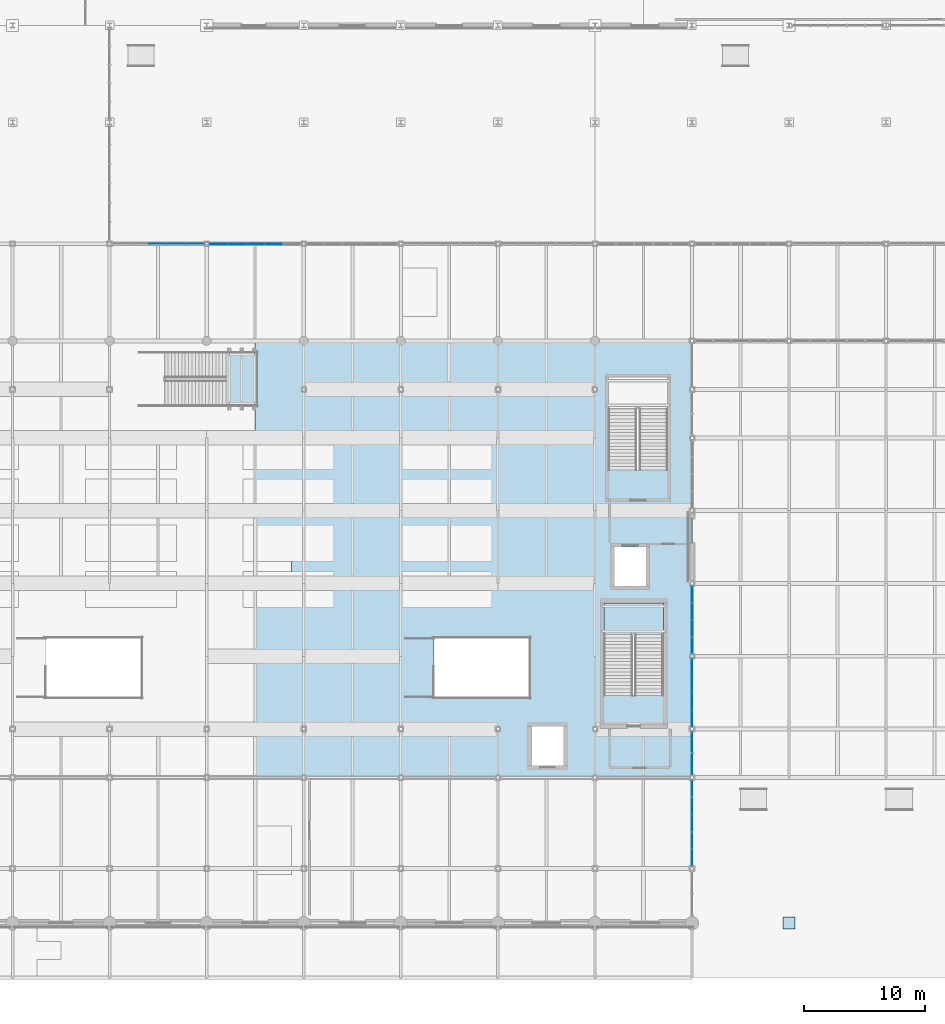
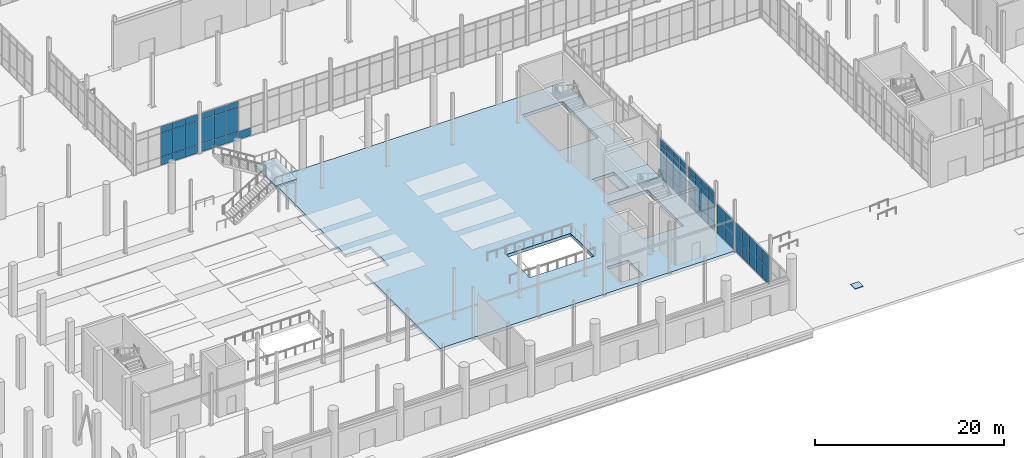
# One storey, part 99 of 140: 58 plates, 3 slabs, 8 elements without a shape of their own.
"""IFC4 building model written with IfcOpenShell, lengths in metres."""

from ifc_helpers import new_model, si_unit, direction, frame, origin, origin_2d, place, context, subcontext, project, spatial, polyline, rectangle, outline, extrude, material, layer, layer_set, type_object, element, aggregate, save


model = new_model("IFC4")

# Units and contexts
model_context = context("Model", 3, precision=1e-05, world=origin(), true_north=direction((0.0, 1.0)))
body_context = subcontext(model_context, "Body", "Model", "MODEL_VIEW")
ifc_project = project(units=[si_unit("LENGTHUNIT", "METRE"), si_unit("AREAUNIT", "SQUARE_METRE"), si_unit("VOLUMEUNIT", "CUBIC_METRE"), si_unit("PLANEANGLEUNIT", "RADIAN"), si_unit("MASSUNIT", "GRAM", prefix="KILO")], contexts=[model_context])

# Site, building, storey
site_placement = place(None, origin())
site = spatial("IfcSite", under=ifc_project, at=site_placement, CompositionType="ELEMENT")
building_placement = place(site_placement, origin())
building = spatial("IfcBuilding", under=site, at=building_placement, Name="Verrall Gate Interchange", CompositionType="ELEMENT")
storey_placement = place(building_placement, origin())
storey = spatial("IfcBuildingStorey", under=building, at=storey_placement, Name="L01", CompositionType="ELEMENT", Elevation=0.0)

# Plate
ifc_material_1 = material(Name="Structural Steel CSA G40.21 350WT Cat 4", Category="steel")
ifc_layer_1 = layer(ifc_material_1, 0.06005859375)
ifc_layer_set_1 = layer_set([ifc_layer_1], Name="Structural Steel CSA G40.21 350WT Cat 4")
plate_type_1 = type_object("IfcPlateType", Name="BP-03 Base Plate 60", PredefinedType="USERDEFINED", material=ifc_layer_set_1)
plate_1_placement = place(storey_placement, frame((116.0, 0.0, 0.0), z_axis=(0.0, 0.0, 1.0), x_axis=(1.0, 0.0, 0.0)))
element("IfcPlate", 1, at=plate_1_placement, inside=storey, type_object=plate_type_1, Name="Apron Pier Cap Plate 1661", ObjectType="BASE_PLATE", PredefinedType="USERDEFINED", context=body_context, shape_type="SweptSolid", body=[
    extrude(rectangle(XDim=1.0, YDim=1.0, at=origin_2d()), origin(), (0.0, 0.0, 1.0), 0.06005859375),
])

# Curtain wall, plates
ifc_material_2 = material(Name="Thermally Broken Anodized Aluminium Curtain Wall Framing", Category="aluminium")
curtain_wall_type_1 = type_object("IfcCurtainWallType", Name="CW-04 Unitized Curtain Wall 5631x5100", PredefinedType="NOTDEFINED", material=ifc_material_2)
curtain_wall_1_placement = place(storey_placement, origin())
curtain_wall_1 = element("IfcCurtainWall", 2, at=curtain_wall_1_placement, inside=storey, type_object=curtain_wall_type_1, Name="L01 Unitized Curtain Wall CW-L01-004", PredefinedType="NOTDEFINED")
ifc_material_3 = material(Name="Triple-Glazed Low-E Argon Insulated Curtain Panel (U=1.45)", Category="glass")
ifc_layer_2 = layer(ifc_material_3, 0.030029296875)
ifc_layer_set_2 = layer_set([ifc_layer_2], Name="Triple-Glazed Low-E Argon Insulated Curtain Panel (U=1.45)")
plate_type_2 = type_object("IfcPlateType", Name="CP-01 Curtain Glazing Panel 30", PredefinedType="CURTAIN_PANEL", material=ifc_layer_set_2)
plate_2_placement = place(storey_placement, frame((108.0, 16.90478515625, 0.0546875), z_axis=(0.0, 0.0, 1.0), x_axis=(0.0, 1.0, 0.0)))
plate_2 = element("IfcPlate", 3, at=plate_2_placement, type_object=plate_type_2, Name="CW-L01-004 Glazing Panel 1.1", PredefinedType="CURTAIN_PANEL", context=body_context, shape_type="SweptSolid", body=[
    extrude(rectangle(XDim=1.3310546875, YDim=0.030029296875, at=origin_2d()), origin(), (0.0, 0.0, 1.0), 1.023193359375),
])
plate_3_placement = place(storey_placement, frame((108.0, 16.90478515625, 1.1220703125), z_axis=(0.0, 0.0, 1.0), x_axis=(0.0, 1.0, 0.0)))
plate_3 = element("IfcPlate", 4, at=plate_3_placement, type_object=plate_type_2, Name="CW-L01-004 Glazing Panel 1.2", PredefinedType="CURTAIN_PANEL", context=body_context, shape_type="SweptSolid", body=[
    extrude(rectangle(XDim=1.3310546875, YDim=0.030029296875, at=origin_2d()), origin(), (0.0, 0.0, 1.0), 3.055908203125),
])
plate_4_placement = place(storey_placement, frame((108.0, 16.90478515625, 4.22216796875), z_axis=(0.0, 0.0, 1.0), x_axis=(0.0, 1.0, 0.0)))
plate_4 = element("IfcPlate", 5, at=plate_4_placement, type_object=plate_type_2, Name="CW-L01-004 Glazing Panel 1.3", PredefinedType="CURTAIN_PANEL", context=body_context, shape_type="SweptSolid", body=[
    extrude(rectangle(XDim=1.3310546875, YDim=0.030029296875, at=origin_2d()), origin(), (0.0, 0.0, 1.0), 0.8232421875),
])
plate_5_placement = place(storey_placement, frame((108.0, 18.296142578125, 0.0546875), z_axis=(0.0, 0.0, 1.0), x_axis=(0.0, 1.0, 0.0)))
plate_5 = element("IfcPlate", 6, at=plate_5_placement, type_object=plate_type_2, Name="CW-L01-004 Glazing Panel 2.1", PredefinedType="CURTAIN_PANEL", context=body_context, shape_type="SweptSolid", body=[
    extrude(rectangle(XDim=1.363525390625, YDim=0.030029296875, at=origin_2d()), origin(), (0.0, 0.0, 1.0), 1.023193359375),
])
plate_6_placement = place(storey_placement, frame((108.0, 18.296142578125, 1.1220703125), z_axis=(0.0, 0.0, 1.0), x_axis=(0.0, 1.0, 0.0)))
plate_6 = element("IfcPlate", 7, at=plate_6_placement, type_object=plate_type_2, Name="CW-L01-004 Glazing Panel 2.2", PredefinedType="CURTAIN_PANEL", context=body_context, shape_type="SweptSolid", body=[
    extrude(rectangle(XDim=1.363525390625, YDim=0.030029296875, at=origin_2d()), origin(), (0.0, 0.0, 1.0), 3.055908203125),
])
plate_7_placement = place(storey_placement, frame((108.0, 18.296142578125, 4.22216796875), z_axis=(0.0, 0.0, 1.0), x_axis=(0.0, 1.0, 0.0)))
plate_7 = element("IfcPlate", 8, at=plate_7_placement, type_object=plate_type_2, Name="CW-L01-004 Glazing Panel 2.3", PredefinedType="CURTAIN_PANEL", context=body_context, shape_type="SweptSolid", body=[
    extrude(rectangle(XDim=1.363525390625, YDim=0.030029296875, at=origin_2d()), origin(), (0.0, 0.0, 1.0), 0.8232421875),
])
plate_8_placement = place(storey_placement, frame((108.0, 19.703857421875, 0.0546875), z_axis=(0.0, 0.0, 1.0), x_axis=(0.0, 1.0, 0.0)))
plate_8 = element("IfcPlate", 9, at=plate_8_placement, type_object=plate_type_2, Name="CW-L01-004 Glazing Panel 3.1", PredefinedType="CURTAIN_PANEL", context=body_context, shape_type="SweptSolid", body=[
    extrude(rectangle(XDim=1.363525390625, YDim=0.030029296875, at=origin_2d()), origin(), (0.0, 0.0, 1.0), 1.023193359375),
])
plate_9_placement = place(storey_placement, frame((108.0, 19.703857421875, 1.1220703125), z_axis=(0.0, 0.0, 1.0), x_axis=(0.0, 1.0, 0.0)))
plate_9 = element("IfcPlate", 10, at=plate_9_placement, type_object=plate_type_2, Name="CW-L01-004 Glazing Panel 3.2", PredefinedType="CURTAIN_PANEL", context=body_context, shape_type="SweptSolid", body=[
    extrude(rectangle(XDim=1.363525390625, YDim=0.030029296875, at=origin_2d()), origin(), (0.0, 0.0, 1.0), 3.055908203125),
])
plate_10_placement = place(storey_placement, frame((108.0, 19.703857421875, 4.22216796875), z_axis=(0.0, 0.0, 1.0), x_axis=(0.0, 1.0, 0.0)))
plate_10 = element("IfcPlate", 11, at=plate_10_placement, type_object=plate_type_2, Name="CW-L01-004 Glazing Panel 3.3", PredefinedType="CURTAIN_PANEL", context=body_context, shape_type="SweptSolid", body=[
    extrude(rectangle(XDim=1.363525390625, YDim=0.030029296875, at=origin_2d()), origin(), (0.0, 0.0, 1.0), 0.8232421875),
])
plate_11_placement = place(storey_placement, frame((108.0, 21.095458984375, 0.0546875), z_axis=(0.0, 0.0, 1.0), x_axis=(0.0, 1.0, 0.0)))
plate_11 = element("IfcPlate", 12, at=plate_11_placement, type_object=plate_type_2, Name="CW-L01-004 Glazing Panel 4.1", PredefinedType="CURTAIN_PANEL", context=body_context, shape_type="SweptSolid", body=[
    extrude(rectangle(XDim=1.3310546875, YDim=0.030029296875, at=origin_2d()), origin(), (0.0, 0.0, 1.0), 1.023193359375),
])
plate_12_placement = place(storey_placement, frame((108.0, 21.095458984375, 1.1220703125), z_axis=(0.0, 0.0, 1.0), x_axis=(0.0, 1.0, 0.0)))
plate_12 = element("IfcPlate", 13, at=plate_12_placement, type_object=plate_type_2, Name="CW-L01-004 Glazing Panel 4.2", PredefinedType="CURTAIN_PANEL", context=body_context, shape_type="SweptSolid", body=[
    extrude(rectangle(XDim=1.3310546875, YDim=0.030029296875, at=origin_2d()), origin(), (0.0, 0.0, 1.0), 3.055908203125),
])
plate_13_placement = place(storey_placement, frame((108.0, 21.095458984375, 4.22216796875), z_axis=(0.0, 0.0, 1.0), x_axis=(0.0, 1.0, 0.0)))
plate_13 = element("IfcPlate", 14, at=plate_13_placement, type_object=plate_type_2, Name="CW-L01-004 Glazing Panel 4.3", PredefinedType="CURTAIN_PANEL", context=body_context, shape_type="SweptSolid", body=[
    extrude(rectangle(XDim=1.3310546875, YDim=0.030029296875, at=origin_2d()), origin(), (0.0, 0.0, 1.0), 0.8232421875),
])
aggregate(curtain_wall_1, [plate_2, plate_3, plate_4, plate_5, plate_6, plate_7, plate_8, plate_9, plate_10, plate_11, plate_12, plate_13])

curtain_wall_2_placement = place(storey_placement, origin())
curtain_wall_2 = element("IfcCurtainWall", 15, at=curtain_wall_2_placement, inside=storey, type_object=curtain_wall_type_1, Name="L01 Unitized Curtain Wall CW-L01-005", PredefinedType="NOTDEFINED")
plate_14_placement = place(storey_placement, frame((108.0, 22.9072265625, 0.06298828125), z_axis=(0.0, 0.0, 1.0), x_axis=(0.0, 1.0, 0.0)))
plate_14 = element("IfcPlate", 16, at=plate_14_placement, type_object=plate_type_2, Name="CW-L01-005 Glazing Panel 1.1", PredefinedType="CURTAIN_PANEL", context=body_context, shape_type="SweptSolid", body=[
    extrude(rectangle(XDim=1.3193359375, YDim=0.030029296875, at=origin_2d()), origin(), (0.0, 0.0, 1.0), 1.011474609375),
])
plate_15_placement = place(storey_placement, frame((108.0, 22.9072265625, 1.12548828125), z_axis=(0.0, 0.0, 1.0), x_axis=(0.0, 1.0, 0.0)))
plate_15 = element("IfcPlate", 17, at=plate_15_placement, type_object=plate_type_2, Name="CW-L01-005 Glazing Panel 1.2", PredefinedType="CURTAIN_PANEL", context=body_context, shape_type="SweptSolid", body=[
    extrude(rectangle(XDim=1.3193359375, YDim=0.030029296875, at=origin_2d()), origin(), (0.0, 0.0, 1.0), 3.049072265625),
])
plate_16_placement = place(storey_placement, frame((108.0, 22.9072265625, 4.225341796875), z_axis=(0.0, 0.0, 1.0), x_axis=(0.0, 1.0, 0.0)))
plate_16 = element("IfcPlate", 18, at=plate_16_placement, type_object=plate_type_2, Name="CW-L01-005 Glazing Panel 1.3", PredefinedType="CURTAIN_PANEL", context=body_context, shape_type="SweptSolid", body=[
    extrude(rectangle(XDim=1.3193359375, YDim=0.030029296875, at=origin_2d()), origin(), (0.0, 0.0, 1.0), 0.8115234375),
])
plate_17_placement = place(storey_placement, frame((108.0, 24.296142578125, 0.06298828125), z_axis=(0.0, 0.0, 1.0), x_axis=(0.0, 1.0, 0.0)))
plate_17 = element("IfcPlate", 19, at=plate_17_placement, type_object=plate_type_2, Name="CW-L01-005 Glazing Panel 2.1", PredefinedType="CURTAIN_PANEL", context=body_context, shape_type="SweptSolid", body=[
    extrude(rectangle(XDim=1.356689453125, YDim=0.030029296875, at=origin_2d()), origin(), (0.0, 0.0, 1.0), 1.011474609375),
])
plate_18_placement = place(storey_placement, frame((108.0, 24.296142578125, 1.12548828125), z_axis=(0.0, 0.0, 1.0), x_axis=(0.0, 1.0, 0.0)))
plate_18 = element("IfcPlate", 20, at=plate_18_placement, type_object=plate_type_2, Name="CW-L01-005 Glazing Panel 2.2", PredefinedType="CURTAIN_PANEL", context=body_context, shape_type="SweptSolid", body=[
    extrude(rectangle(XDim=1.356689453125, YDim=0.030029296875, at=origin_2d()), origin(), (0.0, 0.0, 1.0), 3.049072265625),
])
plate_19_placement = place(storey_placement, frame((108.0, 24.296142578125, 4.225341796875), z_axis=(0.0, 0.0, 1.0), x_axis=(0.0, 1.0, 0.0)))
plate_19 = element("IfcPlate", 21, at=plate_19_placement, type_object=plate_type_2, Name="CW-L01-005 Glazing Panel 2.3", PredefinedType="CURTAIN_PANEL", context=body_context, shape_type="SweptSolid", body=[
    extrude(rectangle(XDim=1.356689453125, YDim=0.030029296875, at=origin_2d()), origin(), (0.0, 0.0, 1.0), 0.8115234375),
])
plate_20_placement = place(storey_placement, frame((108.0, 25.703857421875, 0.06298828125), z_axis=(0.0, 0.0, 1.0), x_axis=(0.0, 1.0, 0.0)))
plate_20 = element("IfcPlate", 22, at=plate_20_placement, type_object=plate_type_2, Name="CW-L01-005 Glazing Panel 3.1", PredefinedType="CURTAIN_PANEL", context=body_context, shape_type="SweptSolid", body=[
    extrude(rectangle(XDim=1.356689453125, YDim=0.030029296875, at=origin_2d()), origin(), (0.0, 0.0, 1.0), 1.011474609375),
])
plate_21_placement = place(storey_placement, frame((108.0, 25.703857421875, 1.12548828125), z_axis=(0.0, 0.0, 1.0), x_axis=(0.0, 1.0, 0.0)))
plate_21 = element("IfcPlate", 23, at=plate_21_placement, type_object=plate_type_2, Name="CW-L01-005 Glazing Panel 3.2", PredefinedType="CURTAIN_PANEL", context=body_context, shape_type="SweptSolid", body=[
    extrude(rectangle(XDim=1.356689453125, YDim=0.030029296875, at=origin_2d()), origin(), (0.0, 0.0, 1.0), 3.049072265625),
])
plate_22_placement = place(storey_placement, frame((108.0, 25.703857421875, 4.225341796875), z_axis=(0.0, 0.0, 1.0), x_axis=(0.0, 1.0, 0.0)))
plate_22 = element("IfcPlate", 24, at=plate_22_placement, type_object=plate_type_2, Name="CW-L01-005 Glazing Panel 3.3", PredefinedType="CURTAIN_PANEL", context=body_context, shape_type="SweptSolid", body=[
    extrude(rectangle(XDim=1.356689453125, YDim=0.030029296875, at=origin_2d()), origin(), (0.0, 0.0, 1.0), 0.8115234375),
])
plate_23_placement = place(storey_placement, frame((108.0, 27.093017578125, 0.06298828125), z_axis=(0.0, 0.0, 1.0), x_axis=(0.0, 1.0, 0.0)))
plate_23 = element("IfcPlate", 25, at=plate_23_placement, type_object=plate_type_2, Name="CW-L01-005 Glazing Panel 4.1", PredefinedType="CURTAIN_PANEL", context=body_context, shape_type="SweptSolid", body=[
    extrude(rectangle(XDim=1.319091796875, YDim=0.030029296875, at=origin_2d()), origin(), (0.0, 0.0, 1.0), 1.011474609375),
])
plate_24_placement = place(storey_placement, frame((108.0, 27.093017578125, 1.12548828125), z_axis=(0.0, 0.0, 1.0), x_axis=(0.0, 1.0, 0.0)))
plate_24 = element("IfcPlate", 26, at=plate_24_placement, type_object=plate_type_2, Name="CW-L01-005 Glazing Panel 4.2", PredefinedType="CURTAIN_PANEL", context=body_context, shape_type="SweptSolid", body=[
    extrude(rectangle(XDim=1.319091796875, YDim=0.030029296875, at=origin_2d()), origin(), (0.0, 0.0, 1.0), 3.049072265625),
])
plate_25_placement = place(storey_placement, frame((108.0, 27.093017578125, 4.225341796875), z_axis=(0.0, 0.0, 1.0), x_axis=(0.0, 1.0, 0.0)))
plate_25 = element("IfcPlate", 27, at=plate_25_placement, type_object=plate_type_2, Name="CW-L01-005 Glazing Panel 4.3", PredefinedType="CURTAIN_PANEL", context=body_context, shape_type="SweptSolid", body=[
    extrude(rectangle(XDim=1.319091796875, YDim=0.030029296875, at=origin_2d()), origin(), (0.0, 0.0, 1.0), 0.8115234375),
])
aggregate(curtain_wall_2, [plate_14, plate_15, plate_16, plate_17, plate_18, plate_19, plate_20, plate_21, plate_22, plate_23, plate_24, plate_25])

ifc_material_4 = material(Name="Thermally Broken Anodized Aluminium Curtain Wall Framing", Category="aluminium")
curtain_wall_type_2 = type_object("IfcCurtainWallType", Name="CW-06 Unitized Curtain Wall 7631x5100", PredefinedType="NOTDEFINED", material=ifc_material_4)
curtain_wall_3_placement = place(storey_placement, origin())
curtain_wall_3 = element("IfcCurtainWall", 28, at=curtain_wall_3_placement, inside=storey, type_object=curtain_wall_type_2, Name="L01 Unitized Curtain Wall CW-L01-020", PredefinedType="NOTDEFINED")
plate_26_placement = place(storey_placement, frame((67.0361328125, 56.0, 0.0546875), z_axis=(0.0, 0.0, 1.0), x_axis=(-1.0, 0.0, 0.0)))
plate_26 = element("IfcPlate", 29, at=plate_26_placement, type_object=plate_type_2, Name="CW-L01-020 Glazing Panel 1.1", PredefinedType="CURTAIN_PANEL", context=body_context, shape_type="SweptSolid", body=[
    extrude(rectangle(XDim=1.449462890625, YDim=0.030029296875, at=origin_2d()), origin(), (0.0, 0.0, 1.0), 1.023193359375),
])
plate_27_placement = place(storey_placement, frame((67.0361328125, 56.0, 1.1220703125), z_axis=(0.0, 0.0, 1.0), x_axis=(-1.0, 0.0, 0.0)))
plate_27 = element("IfcPlate", 30, at=plate_27_placement, type_object=plate_type_2, Name="CW-L01-020 Glazing Panel 1.2", PredefinedType="CURTAIN_PANEL", context=body_context, shape_type="SweptSolid", body=[
    extrude(rectangle(XDim=1.449462890625, YDim=0.030029296875, at=origin_2d()), origin(), (0.0, 0.0, 1.0), 3.055908203125),
])
plate_28_placement = place(storey_placement, frame((67.0361328125, 56.0, 4.22216796875), z_axis=(0.0, 0.0, 1.0), x_axis=(-1.0, 0.0, 0.0)))
plate_28 = element("IfcPlate", 31, at=plate_28_placement, type_object=plate_type_2, Name="CW-L01-020 Glazing Panel 1.3", PredefinedType="CURTAIN_PANEL", context=body_context, shape_type="SweptSolid", body=[
    extrude(rectangle(XDim=1.449462890625, YDim=0.030029296875, at=origin_2d()), origin(), (0.0, 0.0, 1.0), 0.8232421875),
])
plate_29_placement = place(storey_placement, frame((65.526123046875, 56.0, 0.0546875), z_axis=(0.0, 0.0, 1.0), x_axis=(-1.0, 0.0, 0.0)))
plate_29 = element("IfcPlate", 32, at=plate_29_placement, type_object=plate_type_2, Name="CW-L01-020 Glazing Panel 2.1", PredefinedType="CURTAIN_PANEL", context=body_context, shape_type="SweptSolid", body=[
    extrude(rectangle(XDim=1.48193359375, YDim=0.030029296875, at=origin_2d()), origin(), (0.0, 0.0, 1.0), 1.023193359375),
])
plate_30_placement = place(storey_placement, frame((65.526123046875, 56.0, 1.1220703125), z_axis=(0.0, 0.0, 1.0), x_axis=(-1.0, 0.0, 0.0)))
plate_30 = element("IfcPlate", 33, at=plate_30_placement, type_object=plate_type_2, Name="CW-L01-020 Glazing Panel 2.2", PredefinedType="CURTAIN_PANEL", context=body_context, shape_type="SweptSolid", body=[
    extrude(rectangle(XDim=1.48193359375, YDim=0.030029296875, at=origin_2d()), origin(), (0.0, 0.0, 1.0), 3.055908203125),
])
plate_31_placement = place(storey_placement, frame((65.526123046875, 56.0, 4.22216796875), z_axis=(0.0, 0.0, 1.0), x_axis=(-1.0, 0.0, 0.0)))
plate_31 = element("IfcPlate", 34, at=plate_31_placement, type_object=plate_type_2, Name="CW-L01-020 Glazing Panel 2.3", PredefinedType="CURTAIN_PANEL", context=body_context, shape_type="SweptSolid", body=[
    extrude(rectangle(XDim=1.48193359375, YDim=0.030029296875, at=origin_2d()), origin(), (0.0, 0.0, 1.0), 0.8232421875),
])
plate_32_placement = place(storey_placement, frame((64.0, 56.0, 0.0546875), z_axis=(0.0, 0.0, 1.0), x_axis=(-1.0, 0.0, 0.0)))
plate_32 = element("IfcPlate", 35, at=plate_32_placement, type_object=plate_type_2, Name="CW-L01-020 Glazing Panel 3.1", PredefinedType="CURTAIN_PANEL", context=body_context, shape_type="SweptSolid", body=[
    extrude(rectangle(XDim=1.48193359375, YDim=0.030029296875, at=origin_2d()), origin(), (0.0, 0.0, 1.0), 1.023193359375),
])
plate_33_placement = place(storey_placement, frame((64.0, 56.0, 1.1220703125), z_axis=(0.0, 0.0, 1.0), x_axis=(-1.0, 0.0, 0.0)))
plate_33 = element("IfcPlate", 36, at=plate_33_placement, type_object=plate_type_2, Name="CW-L01-020 Glazing Panel 3.2", PredefinedType="CURTAIN_PANEL", context=body_context, shape_type="SweptSolid", body=[
    extrude(rectangle(XDim=1.48193359375, YDim=0.030029296875, at=origin_2d()), origin(), (0.0, 0.0, 1.0), 3.055908203125),
])
plate_34_placement = place(storey_placement, frame((64.0, 56.0, 4.22216796875), z_axis=(0.0, 0.0, 1.0), x_axis=(-1.0, 0.0, 0.0)))
plate_34 = element("IfcPlate", 37, at=plate_34_placement, type_object=plate_type_2, Name="CW-L01-020 Glazing Panel 3.3", PredefinedType="CURTAIN_PANEL", context=body_context, shape_type="SweptSolid", body=[
    extrude(rectangle(XDim=1.48193359375, YDim=0.030029296875, at=origin_2d()), origin(), (0.0, 0.0, 1.0), 0.8232421875),
])
aggregate(curtain_wall_3, [plate_26, plate_27, plate_28, plate_29, plate_30, plate_31, plate_32, plate_33, plate_34])

ifc_material_5 = material(Name="Thermally Broken Anodized Aluminium Curtain Wall Framing", Category="aluminium")
curtain_wall_type_3 = type_object("IfcCurtainWallType", Name="CW-02 Unitized Curtain Wall 7131x3870", PredefinedType="NOTDEFINED", material=ifc_material_5)
curtain_wall_4_placement = place(storey_placement, origin())
curtain_wall_4 = element("IfcCurtainWall", 38, at=curtain_wall_4_placement, inside=storey, type_object=curtain_wall_type_3, Name="L01 Unitized Curtain Wall CW-L01-002", PredefinedType="NOTDEFINED")
ifc_material_6 = material(Name="Triple-Glazed Low-E Argon Insulated Curtain Panel (U=1.45)", Category="glass")
ifc_layer_3 = layer(ifc_material_6, 0.0400390625)
ifc_layer_set_3 = layer_set([ifc_layer_3], Name="Triple-Glazed Low-E Argon Insulated Curtain Panel (U=1.45)")
plate_type_3 = type_object("IfcPlateType", Name="CP-02 Curtain Glazing Panel 40", PredefinedType="CURTAIN_PANEL", material=ifc_layer_set_3)
plate_35_placement = place(storey_placement, frame((108.0, 5.413818359375, 0.0546875), z_axis=(0.0, 0.0, 1.0), x_axis=(0.0, 1.0, 0.0)))
plate_35 = element("IfcPlate", 39, at=plate_35_placement, type_object=plate_type_3, Name="CW-L01-002 Glazing Panel 1.1", PredefinedType="CURTAIN_PANEL", context=body_context, shape_type="SweptSolid", body=[
    extrude(rectangle(XDim=1.349609375, YDim=0.0400390625, at=origin_2d()), origin(), (0.0, 0.0, 1.0), 1.935791015625),
])
plate_36_placement = place(storey_placement, frame((108.0, 5.413818359375, 2.0341796875), z_axis=(0.0, 0.0, 1.0), x_axis=(0.0, 1.0, 0.0)))
plate_36 = element("IfcPlate", 40, at=plate_36_placement, type_object=plate_type_3, Name="CW-L01-002 Glazing Panel 1.2", PredefinedType="CURTAIN_PANEL", context=body_context, shape_type="SweptSolid", body=[
    extrude(rectangle(XDim=1.349609375, YDim=0.0400390625, at=origin_2d()), origin(), (0.0, 0.0, 1.0), 1.781005859375),
])
plate_37_placement = place(storey_placement, frame((108.0, 6.82373046875, 0.0546875), z_axis=(0.0, 0.0, 1.0), x_axis=(0.0, 1.0, 0.0)))
plate_37 = element("IfcPlate", 41, at=plate_37_placement, type_object=plate_type_3, Name="CW-L01-002 Glazing Panel 2.1", PredefinedType="CURTAIN_PANEL", context=body_context, shape_type="SweptSolid", body=[
    extrude(rectangle(XDim=1.382080078125, YDim=0.0400390625, at=origin_2d()), origin(), (0.0, 0.0, 1.0), 1.935791015625),
])
plate_38_placement = place(storey_placement, frame((108.0, 6.82373046875, 2.0341796875), z_axis=(0.0, 0.0, 1.0), x_axis=(0.0, 1.0, 0.0)))
plate_38 = element("IfcPlate", 42, at=plate_38_placement, type_object=plate_type_3, Name="CW-L01-002 Glazing Panel 2.2", PredefinedType="CURTAIN_PANEL", context=body_context, shape_type="SweptSolid", body=[
    extrude(rectangle(XDim=1.382080078125, YDim=0.0400390625, at=origin_2d()), origin(), (0.0, 0.0, 1.0), 1.781005859375),
])
plate_39_placement = place(storey_placement, frame((108.0, 8.25, 0.0546875), z_axis=(0.0, 0.0, 1.0), x_axis=(0.0, 1.0, 0.0)))
plate_39 = element("IfcPlate", 43, at=plate_39_placement, type_object=plate_type_3, Name="CW-L01-002 Glazing Panel 3.1", PredefinedType="CURTAIN_PANEL", context=body_context, shape_type="SweptSolid", body=[
    extrude(rectangle(XDim=1.382080078125, YDim=0.0400390625, at=origin_2d()), origin(), (0.0, 0.0, 1.0), 1.935791015625),
])
plate_40_placement = place(storey_placement, frame((108.0, 8.25, 2.0341796875), z_axis=(0.0, 0.0, 1.0), x_axis=(0.0, 1.0, 0.0)))
plate_40 = element("IfcPlate", 44, at=plate_40_placement, type_object=plate_type_3, Name="CW-L01-002 Glazing Panel 3.2", PredefinedType="CURTAIN_PANEL", context=body_context, shape_type="SweptSolid", body=[
    extrude(rectangle(XDim=1.382080078125, YDim=0.0400390625, at=origin_2d()), origin(), (0.0, 0.0, 1.0), 1.781005859375),
])
plate_41_placement = place(storey_placement, frame((108.0, 9.67626953125, 0.0546875), z_axis=(0.0, 0.0, 1.0), x_axis=(0.0, 1.0, 0.0)))
plate_41 = element("IfcPlate", 45, at=plate_41_placement, type_object=plate_type_3, Name="CW-L01-002 Glazing Panel 4.1", PredefinedType="CURTAIN_PANEL", context=body_context, shape_type="SweptSolid", body=[
    extrude(rectangle(XDim=1.382080078125, YDim=0.0400390625, at=origin_2d()), origin(), (0.0, 0.0, 1.0), 1.935791015625),
])
plate_42_placement = place(storey_placement, frame((108.0, 9.67626953125, 2.0341796875), z_axis=(0.0, 0.0, 1.0), x_axis=(0.0, 1.0, 0.0)))
plate_42 = element("IfcPlate", 46, at=plate_42_placement, type_object=plate_type_3, Name="CW-L01-002 Glazing Panel 4.2", PredefinedType="CURTAIN_PANEL", context=body_context, shape_type="SweptSolid", body=[
    extrude(rectangle(XDim=1.382080078125, YDim=0.0400390625, at=origin_2d()), origin(), (0.0, 0.0, 1.0), 1.781005859375),
])
plate_43_placement = place(storey_placement, frame((108.0, 11.086181640625, 0.0546875), z_axis=(0.0, 0.0, 1.0), x_axis=(0.0, 1.0, 0.0)))
plate_43 = element("IfcPlate", 47, at=plate_43_placement, type_object=plate_type_3, Name="CW-L01-002 Glazing Panel 5.1", PredefinedType="CURTAIN_PANEL", context=body_context, shape_type="SweptSolid", body=[
    extrude(rectangle(XDim=1.349609375, YDim=0.0400390625, at=origin_2d()), origin(), (0.0, 0.0, 1.0), 1.935791015625),
])
plate_44_placement = place(storey_placement, frame((108.0, 11.086181640625, 2.0341796875), z_axis=(0.0, 0.0, 1.0), x_axis=(0.0, 1.0, 0.0)))
plate_44 = element("IfcPlate", 48, at=plate_44_placement, type_object=plate_type_3, Name="CW-L01-002 Glazing Panel 5.2", PredefinedType="CURTAIN_PANEL", context=body_context, shape_type="SweptSolid", body=[
    extrude(rectangle(XDim=1.349609375, YDim=0.0400390625, at=origin_2d()), origin(), (0.0, 0.0, 1.0), 1.781005859375),
])
aggregate(curtain_wall_4, [plate_35, plate_36, plate_37, plate_38, plate_39, plate_40, plate_41, plate_42, plate_43, plate_44])

ifc_material_7 = material(Name="Thermally Broken Anodized Aluminium Curtain Wall Framing", Category="aluminium")
curtain_wall_type_4 = type_object("IfcCurtainWallType", Name="CW-03 Unitized Curtain Wall 3631x3900", PredefinedType="NOTDEFINED", material=ifc_material_7)
curtain_wall_5_placement = place(storey_placement, origin())
curtain_wall_5 = element("IfcCurtainWall", 49, at=curtain_wall_5_placement, inside=storey, type_object=curtain_wall_type_4, Name="L01 Unitized Curtain Wall CW-L01-003", PredefinedType="NOTDEFINED")
plate_45_placement = place(storey_placement, frame((108.0, 13.111083984375, 0.06298828125), z_axis=(0.0, 0.0, 1.0), x_axis=(0.0, 1.0, 0.0)))
plate_45 = element("IfcPlate", 50, at=plate_45_placement, type_object=plate_type_3, Name="CW-L01-003 Glazing Panel 1.1", PredefinedType="CURTAIN_PANEL", context=body_context, shape_type="SweptSolid", body=[
    extrude(rectangle(XDim=1.72705078125, YDim=0.0400390625, at=origin_2d()), origin(), (0.0, 0.0, 1.0), 1.939453125),
])
plate_46_placement = place(storey_placement, frame((108.0, 13.111083984375, 2.0537109375), z_axis=(0.0, 0.0, 1.0), x_axis=(0.0, 1.0, 0.0)))
plate_46 = element("IfcPlate", 51, at=plate_46_placement, type_object=plate_type_3, Name="CW-L01-003 Glazing Panel 1.2", PredefinedType="CURTAIN_PANEL", context=body_context, shape_type="SweptSolid", body=[
    extrude(rectangle(XDim=1.72705078125, YDim=0.0400390625, at=origin_2d()), origin(), (0.0, 0.0, 1.0), 1.783447265625),
])
plate_47_placement = place(storey_placement, frame((108.0, 14.888916015625, 0.06298828125), z_axis=(0.0, 0.0, 1.0), x_axis=(0.0, 1.0, 0.0)))
plate_47 = element("IfcPlate", 52, at=plate_47_placement, type_object=plate_type_3, Name="CW-L01-003 Glazing Panel 2.1", PredefinedType="CURTAIN_PANEL", context=body_context, shape_type="SweptSolid", body=[
    extrude(rectangle(XDim=1.72705078125, YDim=0.0400390625, at=origin_2d()), origin(), (0.0, 0.0, 1.0), 1.939453125),
])
plate_48_placement = place(storey_placement, frame((108.0, 14.888916015625, 2.0537109375), z_axis=(0.0, 0.0, 1.0), x_axis=(0.0, 1.0, 0.0)))
plate_48 = element("IfcPlate", 53, at=plate_48_placement, type_object=plate_type_3, Name="CW-L01-003 Glazing Panel 2.2", PredefinedType="CURTAIN_PANEL", context=body_context, shape_type="SweptSolid", body=[
    extrude(rectangle(XDim=1.72705078125, YDim=0.0400390625, at=origin_2d()), origin(), (0.0, 0.0, 1.0), 1.783447265625),
])
aggregate(curtain_wall_5, [plate_45, plate_46, plate_47, plate_48])

curtain_wall_6_placement = place(storey_placement, origin())
curtain_wall_6 = element("IfcCurtainWall", 54, at=curtain_wall_6_placement, inside=storey, type_object=curtain_wall_type_2, Name="L01 Unitized Curtain Wall CW-L01-019", PredefinedType="NOTDEFINED")
plate_49_placement = place(storey_placement, frame((73.526123046875, 56.0, 0.06298828125), z_axis=(0.0, 0.0, 1.0), x_axis=(-1.0, 0.0, 0.0)))
plate_49 = element("IfcPlate", 55, at=plate_49_placement, type_object=plate_type_3, Name="CW-L01-019 Glazing Panel 2.1", PredefinedType="CURTAIN_PANEL", context=body_context, shape_type="SweptSolid", body=[
    extrude(rectangle(XDim=1.47509765625, YDim=0.0400390625, at=origin_2d()), origin(), (0.0, 0.0, 1.0), 1.011474609375),
])
plate_50_placement = place(storey_placement, frame((72.0, 56.0, 0.06298828125), z_axis=(0.0, 0.0, 1.0), x_axis=(-1.0, 0.0, 0.0)))
plate_50 = element("IfcPlate", 56, at=plate_50_placement, type_object=plate_type_3, Name="CW-L01-019 Glazing Panel 3.1", PredefinedType="CURTAIN_PANEL", context=body_context, shape_type="SweptSolid", body=[
    extrude(rectangle(XDim=1.47509765625, YDim=0.0400390625, at=origin_2d()), origin(), (0.0, 0.0, 1.0), 1.011474609375),
])
plate_51_placement = place(storey_placement, frame((72.0, 56.0, 1.12548828125), z_axis=(0.0, 0.0, 1.0), x_axis=(-1.0, 0.0, 0.0)))
plate_51 = element("IfcPlate", 57, at=plate_51_placement, type_object=plate_type_3, Name="CW-L01-019 Glazing Panel 3.2", PredefinedType="CURTAIN_PANEL", context=body_context, shape_type="SweptSolid", body=[
    extrude(rectangle(XDim=1.47509765625, YDim=0.0400390625, at=origin_2d()), origin(), (0.0, 0.0, 1.0), 3.049072265625),
])
plate_52_placement = place(storey_placement, frame((72.0, 56.0, 4.225341796875), z_axis=(0.0, 0.0, 1.0), x_axis=(-1.0, 0.0, 0.0)))
plate_52 = element("IfcPlate", 58, at=plate_52_placement, type_object=plate_type_3, Name="CW-L01-019 Glazing Panel 3.3", PredefinedType="CURTAIN_PANEL", context=body_context, shape_type="SweptSolid", body=[
    extrude(rectangle(XDim=1.47509765625, YDim=0.0400390625, at=origin_2d()), origin(), (0.0, 0.0, 1.0), 0.8115234375),
])
plate_53_placement = place(storey_placement, frame((70.473876953125, 56.0, 0.06298828125), z_axis=(0.0, 0.0, 1.0), x_axis=(-1.0, 0.0, 0.0)))
plate_53 = element("IfcPlate", 59, at=plate_53_placement, type_object=plate_type_3, Name="CW-L01-019 Glazing Panel 4.1", PredefinedType="CURTAIN_PANEL", context=body_context, shape_type="SweptSolid", body=[
    extrude(rectangle(XDim=1.47509765625, YDim=0.0400390625, at=origin_2d()), origin(), (0.0, 0.0, 1.0), 1.011474609375),
])
plate_54_placement = place(storey_placement, frame((70.473876953125, 56.0, 1.12548828125), z_axis=(0.0, 0.0, 1.0), x_axis=(-1.0, 0.0, 0.0)))
plate_54 = element("IfcPlate", 60, at=plate_54_placement, type_object=plate_type_3, Name="CW-L01-019 Glazing Panel 4.2", PredefinedType="CURTAIN_PANEL", context=body_context, shape_type="SweptSolid", body=[
    extrude(rectangle(XDim=1.47509765625, YDim=0.0400390625, at=origin_2d()), origin(), (0.0, 0.0, 1.0), 3.049072265625),
])
plate_55_placement = place(storey_placement, frame((70.473876953125, 56.0, 4.225341796875), z_axis=(0.0, 0.0, 1.0), x_axis=(-1.0, 0.0, 0.0)))
plate_55 = element("IfcPlate", 61, at=plate_55_placement, type_object=plate_type_3, Name="CW-L01-019 Glazing Panel 4.3", PredefinedType="CURTAIN_PANEL", context=body_context, shape_type="SweptSolid", body=[
    extrude(rectangle(XDim=1.47509765625, YDim=0.0400390625, at=origin_2d()), origin(), (0.0, 0.0, 1.0), 0.8115234375),
])
plate_56_placement = place(storey_placement, frame((68.96630859375, 56.0, 0.06298828125), z_axis=(0.0, 0.0, 1.0), x_axis=(-1.0, 0.0, 0.0)))
plate_56 = element("IfcPlate", 62, at=plate_56_placement, type_object=plate_type_3, Name="CW-L01-019 Glazing Panel 5.1", PredefinedType="CURTAIN_PANEL", context=body_context, shape_type="SweptSolid", body=[
    extrude(rectangle(XDim=1.437744140625, YDim=0.0400390625, at=origin_2d()), origin(), (0.0, 0.0, 1.0), 1.011474609375),
])
plate_57_placement = place(storey_placement, frame((68.96630859375, 56.0, 1.12548828125), z_axis=(0.0, 0.0, 1.0), x_axis=(-1.0, 0.0, 0.0)))
plate_57 = element("IfcPlate", 63, at=plate_57_placement, type_object=plate_type_3, Name="CW-L01-019 Glazing Panel 5.2", PredefinedType="CURTAIN_PANEL", context=body_context, shape_type="SweptSolid", body=[
    extrude(rectangle(XDim=1.437744140625, YDim=0.0400390625, at=origin_2d()), origin(), (0.0, 0.0, 1.0), 3.049072265625),
])
plate_58_placement = place(storey_placement, frame((68.96630859375, 56.0, 4.225341796875), z_axis=(0.0, 0.0, 1.0), x_axis=(-1.0, 0.0, 0.0)))
plate_58 = element("IfcPlate", 64, at=plate_58_placement, type_object=plate_type_3, Name="CW-L01-019 Glazing Panel 5.3", PredefinedType="CURTAIN_PANEL", context=body_context, shape_type="SweptSolid", body=[
    extrude(rectangle(XDim=1.437744140625, YDim=0.0400390625, at=origin_2d()), origin(), (0.0, 0.0, 1.0), 0.8115234375),
])
aggregate(curtain_wall_6, [plate_49, plate_50, plate_51, plate_52, plate_53, plate_54, plate_55, plate_56, plate_57, plate_58])

# Slab
ifc_material_8 = material(Name="Concrete CSA A23.1 40 MPa (Class C-1)", Category="concrete")
ifc_layer_4 = layer(ifc_material_8, 0.39990234375)
ifc_layer_set_4 = layer_set([ifc_layer_4], Name="Concrete CSA A23.1 40 MPa (Class C-1)")
slab_type_1 = type_object("IfcSlabType", Name="FS-04 Floor Slab 400", PredefinedType="FLOOR", material=ifc_layer_set_4)
slab_1_placement = place(storey_placement, frame((0.0, 0.0, -0.39990234375)))
element("IfcSlab", 65, at=slab_1_placement, inside=storey, type_object=slab_type_1, Name="L01 Structural Slab SLB-L01-09", PredefinedType="FLOOR", context=body_context, shape_type="SweptSolid", body=[
    extrude(outline(polyline([(108.0, 12.0), (72.0, 12.0), (72.0, 28.0), (75.0, 28.0), (75.0, 32.0), (72.0, 32.0), (72.0, 48.0), (108.0, 48.0), (108.0, 12.0)]), holes=[polyline([(106.0, 45.0), (101.10009765625, 45.0), (101.10009765625, 37.35009765625), (106.0, 37.35009765625), (106.0, 45.0)]), polyline([(105.639892578125, 26.39990234375), (100.739990234375, 26.39990234375), (100.739990234375, 18.75), (105.639892578125, 18.75), (105.639892578125, 26.39990234375)]), polyline([(101.60009765625, 31.0), (101.60009765625, 27.800048828125), (104.199951171875, 27.800048828125), (104.199951171875, 31.0), (101.60009765625, 31.0)]), polyline([(94.800048828125, 16.199951171875), (94.800048828125, 13.0), (97.39990234375, 13.0), (97.39990234375, 16.199951171875), (94.800048828125, 16.199951171875)]), polyline([(94.60009765625, 23.5), (86.75, 23.5), (86.75, 18.60009765625), (94.60009765625, 18.60009765625), (94.60009765625, 23.5)])]), origin(), (0.0, 0.0, 1.0), 0.39990234375),
])

# Stair, slab
ifc_material_9 = material(Name="Concrete CSA A23.1 40 MPa (Class N)", Category="concrete")
stair_type_1 = type_object("IfcStairType", Name="ST-T13 Straight-Flight Return Exit Stair W2350 H6600", PredefinedType="STRAIGHT_RUN_STAIR", material=ifc_material_9)
stair_1_placement = place(storey_placement, origin())
stair_1 = element("IfcStair", 66, at=stair_1_placement, inside=storey, type_object=stair_type_1, Name="L01 ST-06", PredefinedType="STRAIGHT_RUN_STAIR")
ifc_material_10 = material(Name="Concrete CSA A23.1 40 MPa (Class N)", Category="concrete")
ifc_layer_5 = layer(ifc_material_10, 0.18994140625)
ifc_layer_set_5 = layer_set([ifc_layer_5], Name="Concrete CSA A23.1 40 MPa (Class N)")
slab_type_2 = type_object("IfcSlabType", Name="LS-01 Stair Landing Slab 190", PredefinedType="LANDING", material=ifc_layer_set_5)
slab_2_placement = place(storey_placement, frame((0.0, 0.0, 3.10009765625)))
slab_2 = element("IfcSlab", 67, at=slab_2_placement, type_object=slab_type_2, Name="ST-06 landing 1", PredefinedType="LANDING", context=body_context, shape_type="SweptSolid", body=[
    extrude(outline(polyline([(105.639892578125, 23.7900390625), (105.639892578125, 26.39990234375), (100.739990234375, 26.39990234375), (100.739990234375, 23.7900390625), (105.639892578125, 23.7900390625)])), origin(), (0.0, 0.0, 1.0), 0.199951171875),
])
aggregate(stair_1, [slab_2])

ifc_material_11 = material(Name="Concrete CSA A23.1 40 MPa (Class N)", Category="concrete")
stair_type_2 = type_object("IfcStairType", Name="ST-T09 Straight-Flight Return Exit Stair W2150 H6600", PredefinedType="STRAIGHT_RUN_STAIR", material=ifc_material_11)
stair_2_placement = place(storey_placement, origin())
stair_2 = element("IfcStair", 68, at=stair_2_placement, inside=storey, type_object=stair_type_2, Name="L01 ST-12", PredefinedType="STRAIGHT_RUN_STAIR")
slab_3_placement = place(storey_placement, frame((0.0, 0.0, 3.10009765625)))
slab_3 = element("IfcSlab", 69, at=slab_3_placement, type_object=slab_type_2, Name="ST-12 landing 1", PredefinedType="LANDING", context=body_context, shape_type="SweptSolid", body=[
    extrude(outline(polyline([(69.590087890625, 42.60009765625), (72.199951171875, 42.60009765625), (72.199951171875, 47.10009765625), (69.590087890625, 47.10009765625), (69.590087890625, 42.60009765625)])), origin(), (0.0, 0.0, 1.0), 0.199951171875),
])
aggregate(stair_2, [slab_3])

save(model, "model.ifc")
